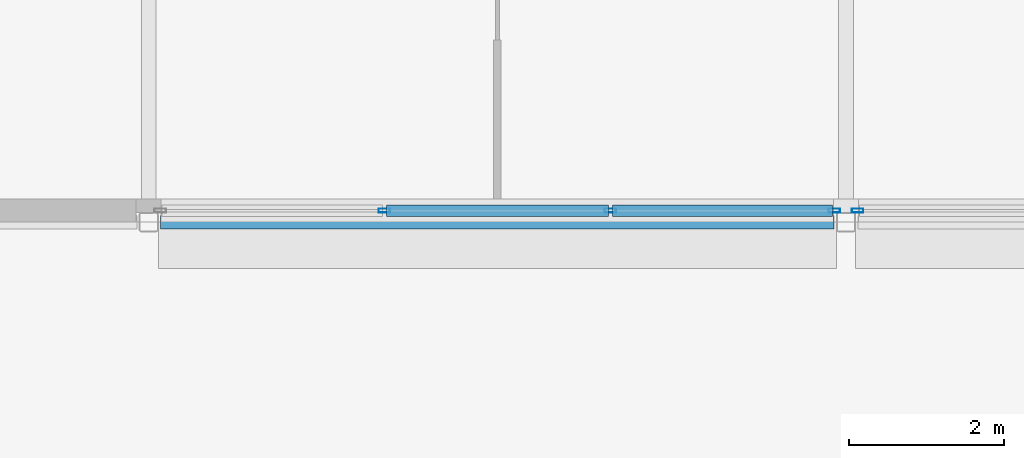
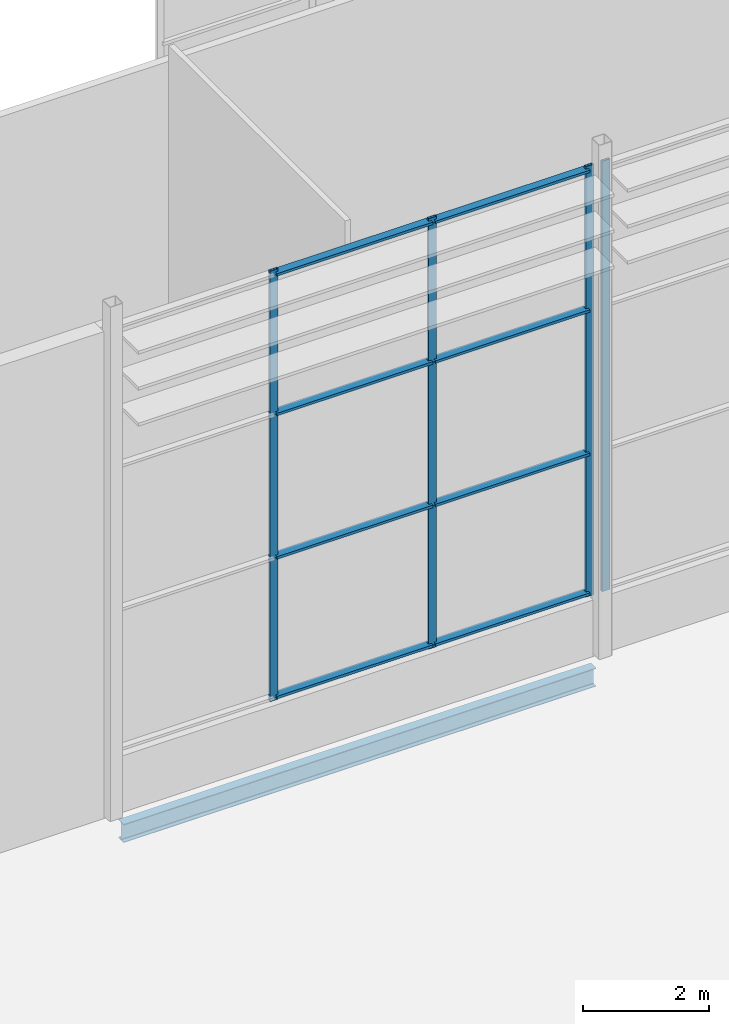
# One storey, part 19 of 111: 12 members, 1 beam, 2 elements without a shape of their own.
"""IFC4 building model written with IfcOpenShell, lengths in metres."""

from ifc_helpers import new_model, si_unit, direction, frame, origin, origin_2d, place, context, subcontext, project, spatial, hollow_rectangle, i_section, extrude, material, layer, layer_set, material_profile, profile_set, type_object, element, aggregate, save


model = new_model("IFC4")

# Units and contexts
model_context = context("Model", 3, precision=1e-05, world=origin(), true_north=direction((0.0, 1.0)))
body_context = subcontext(model_context, "Body", "Model", "MODEL_VIEW")
ifc_project = project(units=[si_unit("LENGTHUNIT", "METRE"), si_unit("AREAUNIT", "SQUARE_METRE"), si_unit("VOLUMEUNIT", "CUBIC_METRE"), si_unit("PLANEANGLEUNIT", "RADIAN"), si_unit("MASSUNIT", "GRAM", prefix="KILO")], contexts=[model_context])

# Site, building, storey
site_placement = place(None, origin())
site = spatial("IfcSite", under=ifc_project, at=site_placement, CompositionType="ELEMENT")
building_placement = place(site_placement, origin())
building = spatial("IfcBuilding", under=site, at=building_placement, Name="Shorebreak Coast Museum", CompositionType="ELEMENT")
storey_placement = place(building_placement, frame((0.0, 0.0, 16.0)))
storey = spatial("IfcBuildingStorey", under=building, at=storey_placement, Name="L03", CompositionType="ELEMENT", Elevation=16.0)

# Beam
ifc_material_1 = material(Name="Steel Grade 300", Category="steel")
ifc_material_profile_1 = material_profile(ifc_material_1, i_section(OverallWidth=0.1708984375, OverallDepth=0.355712890625, WebThickness=0.00732421875, FlangeThickness=0.011474609375, FilletRadius=0.011474609375, at=origin_2d()), Name="360UB50.7")
ifc_profile_set_1 = profile_set([ifc_material_profile_1], Name="Steel Grade 300")
beam_type = type_object("IfcBeamType", Name="Floor girder east-west 360UB50.7", PredefinedType="BEAM", material=ifc_profile_set_1)
beam_placement = place(storey_placement, frame((81.153564453125, 54.0, -0.352783203125), z_axis=(1.0, 0.0, 0.0), x_axis=(0.0, 1.0, 0.0)))
element("IfcBeam", 1, at=beam_placement, inside=storey, type_object=beam_type, Name="Floor girder east-west L03 10G", PredefinedType="BEAM", context=body_context, shape_type="SweptSolid", body=[
    extrude(i_section(OverallWidth=0.1708984375, OverallDepth=0.355712890625, WebThickness=0.00732421875, FlangeThickness=0.011474609375, FilletRadius=0.011474609375, at=origin_2d()), origin(), (0.0, 0.0, 1.0), 8.69287109375),
])

# Curtain wall, members
ifc_material_2 = material(Name="Aluminium", Category="aluminium")
ifc_layer = layer(ifc_material_2, 0.14990234375)
ifc_layer_set = layer_set([ifc_layer], Name="Aluminium")
curtain_wall_type = type_object("IfcCurtainWallType", Name="Storefront curtain wall", PredefinedType="NOTDEFINED", material=ifc_layer_set)
curtain_wall_1_placement = place(storey_placement, origin())
curtain_wall_1 = element("IfcCurtainWall", 2, at=curtain_wall_1_placement, inside=storey, type_object=curtain_wall_type, Name="Atrium Hall glazing L03 S 2", PredefinedType="NOTDEFINED")
ifc_material_3 = material(Name="Aluminium", Category="aluminium")
ifc_material_profile_2 = material_profile(ifc_material_3, hollow_rectangle(XDim=0.050048828125, YDim=0.14990234375, WallThickness=0.00390625, at=origin_2d()), Name="AL 150x50 RHS")
ifc_profile_set_2 = profile_set([ifc_material_profile_2], Name="Aluminium")
member_type_1 = type_object("IfcMemberType", Name="Storefront mullion 50 x 150", PredefinedType="MULLION", material=ifc_profile_set_2)
member_1_placement = place(storey_placement, frame((84.041748046875, 54.14990234375, 1.10009765625), z_axis=(0.0, 0.0, 1.0), x_axis=(0.0, 1.0, 0.0)))
member_1 = element("IfcMember", 3, at=member_1_placement, type_object=member_type_1, Name="CW5 mullion 2", PredefinedType="MULLION", context=body_context, shape_type="SweptSolid", body=[
    extrude(hollow_rectangle(XDim=0.050048828125, YDim=0.14990234375, WallThickness=0.00390625, at=origin_2d()), origin(), (0.0, 0.0, 1.0), 8.372802734375),
])
member_2_placement = place(storey_placement, frame((86.958251953125, 54.14990234375, 1.10009765625), z_axis=(0.0, 0.0, 1.0), x_axis=(0.0, 1.0, 0.0)))
member_2 = element("IfcMember", 4, at=member_2_placement, type_object=member_type_1, Name="CW5 mullion 3", PredefinedType="MULLION", context=body_context, shape_type="SweptSolid", body=[
    extrude(hollow_rectangle(XDim=0.050048828125, YDim=0.14990234375, WallThickness=0.00390625, at=origin_2d()), origin(), (0.0, 0.0, 1.0), 8.372802734375),
])
member_3_placement = place(storey_placement, frame((89.85009765625, 54.14990234375, 1.10009765625), z_axis=(0.0, 0.0, 1.0), x_axis=(0.0, 1.0, 0.0)))
member_3 = element("IfcMember", 5, at=member_3_placement, type_object=member_type_1, Name="CW5 mullion 4", PredefinedType="MULLION", context=body_context, shape_type="SweptSolid", body=[
    extrude(hollow_rectangle(XDim=0.050048828125, YDim=0.14990234375, WallThickness=0.00390625, at=origin_2d()), origin(), (0.0, 0.0, 1.0), 8.372802734375),
])

# Curtain wall, member
curtain_wall_2_placement = place(storey_placement, origin())
curtain_wall_2 = element("IfcCurtainWall", 6, at=curtain_wall_2_placement, inside=storey, type_object=curtain_wall_type, Name="Atrium Hall glazing L03 S 3", PredefinedType="NOTDEFINED")
member_4_placement = place(storey_placement, frame((90.14990234375, 54.14990234375, 1.10009765625), z_axis=(0.0, 0.0, 1.0), x_axis=(0.0, 1.0, 0.0)))
member_4 = element("IfcMember", 7, at=member_4_placement, type_object=member_type_1, Name="CW5 mullion 1", PredefinedType="MULLION", context=body_context, shape_type="SweptSolid", body=[
    extrude(hollow_rectangle(XDim=0.050048828125, YDim=0.14990234375, WallThickness=0.00390625, at=origin_2d()), origin(), (0.0, 0.0, 1.0), 8.372802734375),
])
aggregate(curtain_wall_2, [member_4])

# Member
ifc_material_4 = material(Name="Aluminium", Category="aluminium")
ifc_material_profile_3 = material_profile(ifc_material_4, hollow_rectangle(XDim=0.14990234375, YDim=0.050048828125, WallThickness=0.00390625, at=origin_2d()), Name="AL 50x150 RHS")
ifc_profile_set_3 = profile_set([ifc_material_profile_3], Name="Aluminium")
member_type_2 = type_object("IfcMemberType", Name="Storefront transom 150 x 50", PredefinedType="USERDEFINED", material=ifc_profile_set_3)
member_5_placement = place(storey_placement, frame((84.066650390625, 54.14990234375, 1.175048828125), z_axis=(1.0, 0.0, 0.0), x_axis=(0.0, 1.0, 0.0)))
member_5 = element("IfcMember", 8, at=member_5_placement, type_object=member_type_2, Name="CW5 transom 2.1", ObjectType="TRANSOM", PredefinedType="USERDEFINED", context=body_context, shape_type="SweptSolid", body=[
    extrude(hollow_rectangle(XDim=0.14990234375, YDim=0.050048828125, WallThickness=0.00390625, at=origin_2d()), origin(), (0.0, 0.0, 1.0), 2.86669921875),
])

member_6_placement = place(storey_placement, frame((84.066650390625, 54.14990234375, 3.89111328125), z_axis=(1.0, 0.0, 0.0), x_axis=(0.0, 1.0, 0.0)))
member_6 = element("IfcMember", 9, at=member_6_placement, type_object=member_type_2, Name="CW5 transom 2.2", ObjectType="TRANSOM", PredefinedType="USERDEFINED", context=body_context, shape_type="SweptSolid", body=[
    extrude(hollow_rectangle(XDim=0.14990234375, YDim=0.050048828125, WallThickness=0.00390625, at=origin_2d()), origin(), (0.0, 0.0, 1.0), 2.86669921875),
])

member_7_placement = place(storey_placement, frame((84.066650390625, 54.14990234375, 6.681884765625), z_axis=(1.0, 0.0, 0.0), x_axis=(0.0, 1.0, 0.0)))
member_7 = element("IfcMember", 10, at=member_7_placement, type_object=member_type_2, Name="CW5 transom 2.3", ObjectType="TRANSOM", PredefinedType="USERDEFINED", context=body_context, shape_type="SweptSolid", body=[
    extrude(hollow_rectangle(XDim=0.14990234375, YDim=0.050048828125, WallThickness=0.00390625, at=origin_2d()), origin(), (0.0, 0.0, 1.0), 2.86669921875),
])

member_8_placement = place(storey_placement, frame((84.066650390625, 54.14990234375, 9.39794921875), z_axis=(1.0, 0.0, 0.0), x_axis=(0.0, 1.0, 0.0)))
member_8 = element("IfcMember", 11, at=member_8_placement, type_object=member_type_2, Name="CW5 transom 2.4", ObjectType="TRANSOM", PredefinedType="USERDEFINED", context=body_context, shape_type="SweptSolid", body=[
    extrude(hollow_rectangle(XDim=0.14990234375, YDim=0.050048828125, WallThickness=0.00390625, at=origin_2d()), origin(), (0.0, 0.0, 1.0), 2.86669921875),
])

member_9_placement = place(storey_placement, frame((86.9833984375, 54.14990234375, 1.175048828125), z_axis=(1.0, 0.0, 0.0), x_axis=(0.0, 1.0, 0.0)))
member_9 = element("IfcMember", 12, at=member_9_placement, type_object=member_type_2, Name="CW5 transom 3.1", ObjectType="TRANSOM", PredefinedType="USERDEFINED", context=body_context, shape_type="SweptSolid", body=[
    extrude(hollow_rectangle(XDim=0.14990234375, YDim=0.050048828125, WallThickness=0.00390625, at=origin_2d()), origin(), (0.0, 0.0, 1.0), 2.841552734375),
])

member_10_placement = place(storey_placement, frame((86.9833984375, 54.14990234375, 3.89111328125), z_axis=(1.0, 0.0, 0.0), x_axis=(0.0, 1.0, 0.0)))
member_10 = element("IfcMember", 13, at=member_10_placement, type_object=member_type_2, Name="CW5 transom 3.2", ObjectType="TRANSOM", PredefinedType="USERDEFINED", context=body_context, shape_type="SweptSolid", body=[
    extrude(hollow_rectangle(XDim=0.14990234375, YDim=0.050048828125, WallThickness=0.00390625, at=origin_2d()), origin(), (0.0, 0.0, 1.0), 2.841552734375),
])

member_11_placement = place(storey_placement, frame((86.9833984375, 54.14990234375, 6.681884765625), z_axis=(1.0, 0.0, 0.0), x_axis=(0.0, 1.0, 0.0)))
member_11 = element("IfcMember", 14, at=member_11_placement, type_object=member_type_2, Name="CW5 transom 3.3", ObjectType="TRANSOM", PredefinedType="USERDEFINED", context=body_context, shape_type="SweptSolid", body=[
    extrude(hollow_rectangle(XDim=0.14990234375, YDim=0.050048828125, WallThickness=0.00390625, at=origin_2d()), origin(), (0.0, 0.0, 1.0), 2.841552734375),
])

member_12_placement = place(storey_placement, frame((86.9833984375, 54.14990234375, 9.39794921875), z_axis=(1.0, 0.0, 0.0), x_axis=(0.0, 1.0, 0.0)))
member_12 = element("IfcMember", 15, at=member_12_placement, type_object=member_type_2, Name="CW5 transom 3.4", ObjectType="TRANSOM", PredefinedType="USERDEFINED", context=body_context, shape_type="SweptSolid", body=[
    extrude(hollow_rectangle(XDim=0.14990234375, YDim=0.050048828125, WallThickness=0.00390625, at=origin_2d()), origin(), (0.0, 0.0, 1.0), 2.841552734375),
])

aggregate(curtain_wall_1, [member_1, member_2, member_3, member_5, member_6, member_7, member_8, member_9, member_10, member_11, member_12])

save(model, "model.ifc")
